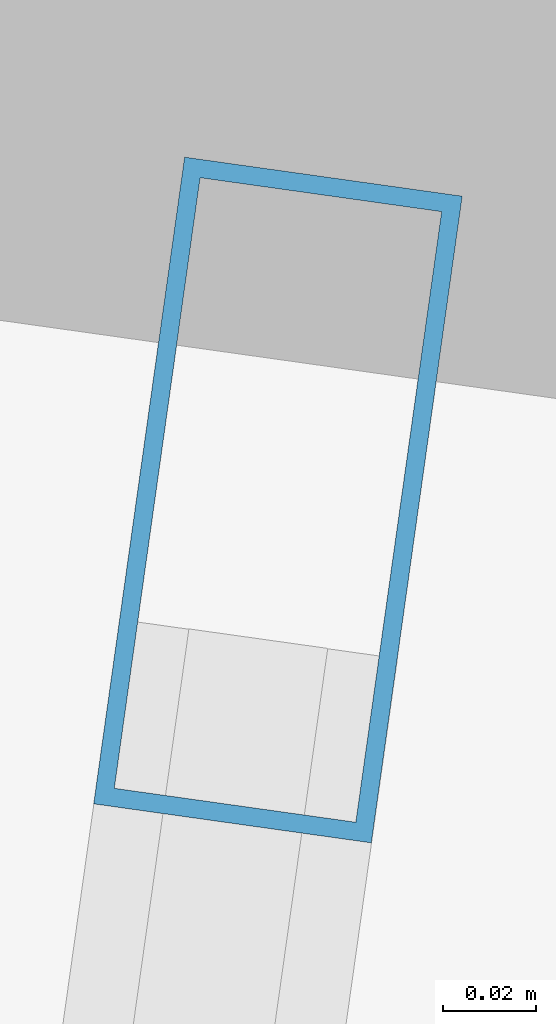
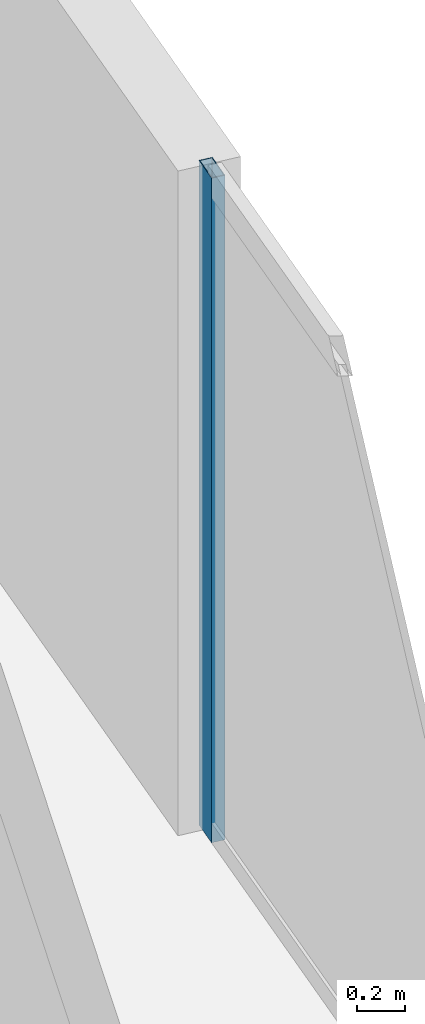
# One storey, part 12 of 17: 1 member, 1 element without a shape of its own.
"""IFC4 building model written with IfcOpenShell, lengths in metres."""

from ifc_helpers import new_model, si_unit, direction, frame, origin, origin_2d, place, context, subcontext, project, spatial, hollow_rectangle, extrude, material, layer, layer_set, material_profile, profile_set, type_object, element, aggregate, save


model = new_model("IFC4")

# Units and contexts
model_context = context("Model", 3, precision=1e-05, world=origin(), true_north=direction((0.0, 1.0)))
body_context = subcontext(model_context, "Body", "Model", "MODEL_VIEW")
ifc_project = project(units=[si_unit("LENGTHUNIT", "METRE"), si_unit("AREAUNIT", "SQUARE_METRE"), si_unit("VOLUMEUNIT", "CUBIC_METRE"), si_unit("PLANEANGLEUNIT", "RADIAN"), si_unit("MASSUNIT", "GRAM", prefix="KILO")], contexts=[model_context])

# Site, building, storey
site_placement = place(None, origin())
site = spatial("IfcSite", under=ifc_project, at=site_placement, CompositionType="ELEMENT")
building_placement = place(site_placement, origin())
building = spatial("IfcBuilding", under=site, at=building_placement, Name="Kravanh Interchange Tower", CompositionType="ELEMENT")
storey_placement = place(building_placement, frame((0.0, 0.0, 263.39990234375)))
storey = spatial("IfcBuildingStorey", under=building, at=storey_placement, Name="L64", CompositionType="ELEMENT", Elevation=263.39990234375)

# Curtain wall, member
ifc_material_1 = material(Name="Anodised Bronze Aluminium", Category="aluminium")
ifc_layer = layer(ifc_material_1, 0.179931640625)
ifc_layer_set = layer_set([ifc_layer], Name="Unitised Curtain Wall System CW-HTL Luxury Hotel")
curtain_wall_type = type_object("IfcCurtainWallType", Name="Unitised Curtain Wall System CW-HTL Luxury Hotel", PredefinedType="NOTDEFINED", material=ifc_layer_set)
curtain_wall_placement = place(storey_placement, origin())
curtain_wall = element("IfcCurtainWall", 1, at=curtain_wall_placement, inside=storey, type_object=curtain_wall_type, Name="L64 Unitised Curtain Wall CW-L64-01", PredefinedType="NOTDEFINED")
ifc_material_2 = material(Name="Anodised Bronze Aluminium", Category="aluminium")
ifc_material_profile = material_profile(ifc_material_2, hollow_rectangle(XDim=0.06005859375, YDim=0.139892578125, WallThickness=0.00390625, at=origin_2d()), Name="ALU60X140X4")
ifc_profile_set = profile_set([ifc_material_profile], Name="Anodised Bronze Aluminium")
member_type = type_object("IfcMemberType", Name="Curtain Wall Mullion ALU60X140X4 Bronze", PredefinedType="MULLION", material=ifc_profile_set)
member_placement = place(storey_placement, frame((68.370849609375, 37.770263671875, 0.0), z_axis=(0.0, 0.0, 1.0), x_axis=(0.990267785894, -0.139175113512, 0.0)))
member = element("IfcMember", 2, at=member_placement, type_object=member_type, Name="CW-HTL mullion 1", PredefinedType="MULLION", context=body_context, shape_type="SweptSolid", body=[
    extrude(hollow_rectangle(XDim=0.06005859375, YDim=0.139892578125, WallThickness=0.00390625, at=origin_2d()), origin(), (0.0, 0.0, 1.0), 3.360107421875),
])
aggregate(curtain_wall, [member])

save(model, "model.ifc")
